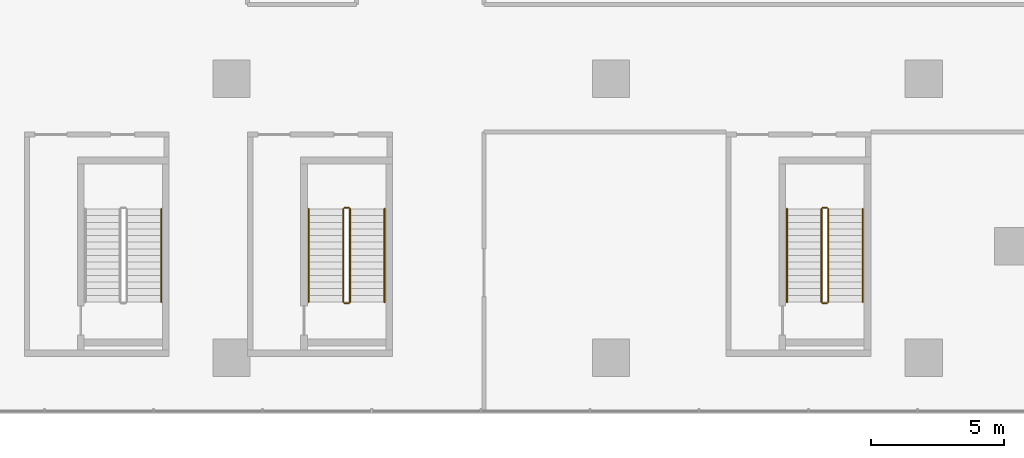
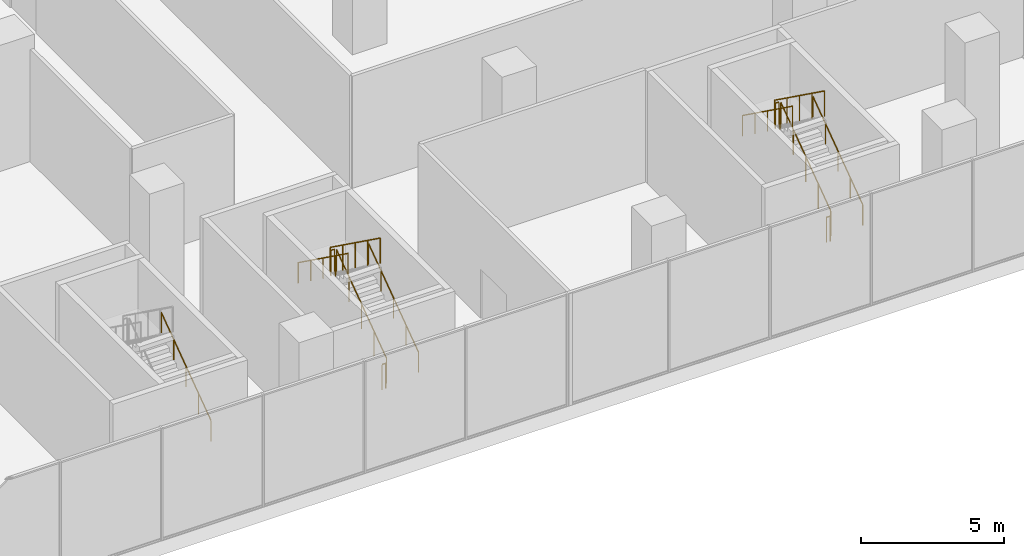
# One storey, part 20 of 23: 13 railings.
"""IFC4 building model written with IfcOpenShell, lengths in metres."""

from ifc_helpers import new_model, si_unit, direction, frame, origin, origin_2d, place, context, subcontext, project, spatial, circle, extrude, source, transform, mapped, material, type_object, element, save


model = new_model("IFC4")

# Units and contexts
model_context = context("Model", 3, precision=1e-05, world=origin(), true_north=direction((0.0, 1.0)))
body_context = subcontext(model_context, "Body", "Model", "MODEL_VIEW")
ifc_project = project(units=[si_unit("LENGTHUNIT", "METRE"), si_unit("AREAUNIT", "SQUARE_METRE"), si_unit("VOLUMEUNIT", "CUBIC_METRE"), si_unit("PLANEANGLEUNIT", "RADIAN"), si_unit("MASSUNIT", "GRAM", prefix="KILO")], contexts=[model_context])

# Site, building, storey
site_placement = place(None, origin())
site = spatial("IfcSite", under=ifc_project, at=site_placement, CompositionType="ELEMENT")
building_placement = place(site_placement, origin())
building = spatial("IfcBuilding", under=site, at=building_placement, Name="Aurelian Terraces", CompositionType="ELEMENT")
storey_placement = place(building_placement, frame((0.0, 0.0, 18.3)))
storey = spatial("IfcBuildingStorey", under=building, at=storey_placement, Name="L03", CompositionType="ELEMENT", Elevation=18.3)

# Railings
ifc_material = material(Name="Stainless steel", Category="steel")
railing_type_1 = type_object("IfcRailingType", Name="Stair guard 1100", PredefinedType="GUARDRAIL", material=ifc_material)
shared_shape_1 = source(origin(), body_context, "Body", "SweptSolid", [
    extrude(circle(Radius=0.024, at=origin_2d()), frame((0.0, 0.0, 1.076), z_axis=(-1.0, 0.0, 0.0), x_axis=(0.0, -1.0, 0.0)), (0.0, 0.0, 1.0), 0.15),
    extrude(circle(Radius=0.021, at=origin_2d()), origin(), (0.0, 0.0, 1.0), 1.052),
    extrude(circle(Radius=0.021, at=origin_2d()), frame((-0.15, 0.0, 0.0)), (0.0, 0.0, 1.0), 1.052),
])
for number, where, name in (
    (1, (42.2, 5.65, 2.7), "L03 S2 stair guard 2"),
    (2, (42.2, 2.05, 0.0), "L03 S2 stair guard 4"),
    (3, (60.2, 5.65, 2.7), "L03 S6 stair guard 2"),
    (4, (60.2, 2.05, 0.0), "L03 S6 stair guard 4"),
):
    element("IfcRailing", number, at=place(storey_placement, frame(where)), inside=storey, type_object=railing_type_1, Name=name, PredefinedType="GUARDRAIL", context=body_context, shape_type="MappedRepresentation", body=[
        mapped(shared_shape_1, transform((0.0, 0.0, 0.0), scale=1.0)),
    ])
shared_shape_2 = source(origin(), body_context, "Body", "SweptSolid", [
    extrude(circle(Radius=0.024, at=origin_2d()), frame((0.0, 0.0, 1.076), z_axis=(0.0, 0.811534341451, 0.584304725845), x_axis=(-1.0, 0.0, 0.0)), (0.0, 0.0, 1.0), 4.3128),
    extrude(circle(Radius=0.021, at=origin_2d()), origin(), (0.0, 0.0, 1.0), 1.052),
    extrude(circle(Radius=0.021, at=origin_2d()), frame((0.0, 0.875, 0.63)), (0.0, 0.0, 1.0), 1.052),
    extrude(circle(Radius=0.021, at=origin_2d()), frame((0.0, 1.75, 1.26)), (0.0, 0.0, 1.0), 1.052),
    extrude(circle(Radius=0.021, at=origin_2d()), frame((0.0, 2.625, 1.89)), (0.0, 0.0, 1.0), 1.052),
    extrude(circle(Radius=0.021, at=origin_2d()), frame((0.0, 3.5, 2.52)), (0.0, 0.0, 1.0), 1.052),
])
for number, where, name in (
    (5, (42.25, 2.1, 0.18), "L03 S2 stair guard 1"),
    (6, (60.25, 2.1, 0.18), "L03 S6 stair guard 1"),
):
    element("IfcRailing", number, at=place(storey_placement, frame(where)), inside=storey, type_object=railing_type_1, Name=name, PredefinedType="GUARDRAIL", context=body_context, shape_type="MappedRepresentation", body=[
        mapped(shared_shape_2, transform((0.0, 0.0, 0.0), scale=1.0)),
    ])
shared_shape_3 = source(origin(), body_context, "Body", "SweptSolid", [
    extrude(circle(Radius=0.024, at=origin_2d()), frame((0.0, 0.0, 1.076), z_axis=(0.0, -0.811534341451, 0.584304725845), x_axis=(1.0, 0.0, 0.0)), (0.0, 0.0, 1.0), 4.3128),
    extrude(circle(Radius=0.021, at=origin_2d()), origin(), (0.0, 0.0, 1.0), 1.052),
    extrude(circle(Radius=0.021, at=origin_2d()), frame((0.0, -0.875, 0.63)), (0.0, 0.0, 1.0), 1.052),
    extrude(circle(Radius=0.021, at=origin_2d()), frame((0.0, -1.75, 1.26)), (0.0, 0.0, 1.0), 1.052),
    extrude(circle(Radius=0.021, at=origin_2d()), frame((0.0, -2.625, 1.89)), (0.0, 0.0, 1.0), 1.052),
    extrude(circle(Radius=0.021, at=origin_2d()), frame((0.0, -3.5, 2.52)), (0.0, 0.0, 1.0), 1.052),
])
for number, where, name in (
    (7, (42.0, 5.6, 2.88), "L03 S2 stair guard 3"),
    (8, (60.0, 5.6, 2.88), "L03 S6 stair guard 3"),
):
    element("IfcRailing", number, at=place(storey_placement, frame(where)), inside=storey, type_object=railing_type_1, Name=name, PredefinedType="GUARDRAIL", context=body_context, shape_type="MappedRepresentation", body=[
        mapped(shared_shape_3, transform((0.0, 0.0, 0.0), scale=1.0)),
    ])
railing_type_2 = type_object("IfcRailingType", Name="Stair handrail", PredefinedType="HANDRAIL", material=ifc_material)
shared_shape_4 = source(origin(), body_context, "Body", "SweptSolid", [
    extrude(circle(Radius=0.024, at=origin_2d()), frame((0.0, 0.0, 0.876), z_axis=(0.0, 0.811534341451, 0.584304725845), x_axis=(-1.0, 0.0, 0.0)), (0.0, 0.0, 1.0), 4.3128),
    extrude(circle(Radius=0.021, at=origin_2d()), origin(), (0.0, 0.0, 1.0), 0.852),
    extrude(circle(Radius=0.021, at=origin_2d()), frame((0.0, 0.875, 0.63)), (0.0, 0.0, 1.0), 0.852),
    extrude(circle(Radius=0.021, at=origin_2d()), frame((0.0, 1.75, 1.26)), (0.0, 0.0, 1.0), 0.852),
    extrude(circle(Radius=0.021, at=origin_2d()), frame((0.0, 2.625, 1.89)), (0.0, 0.0, 1.0), 0.852),
    extrude(circle(Radius=0.021, at=origin_2d()), frame((0.0, 3.5, 2.52)), (0.0, 0.0, 1.0), 0.852),
])
for number, where, name in (
    (9, (43.55, 2.1, 0.18), "L03 S2 stair handrail 1"),
    (10, (61.55, 2.1, 0.18), "L03 S6 stair handrail 1"),
    (11, (35.15, 2.1, 0.18), "L03 S7 stair handrail 1"),
):
    element("IfcRailing", number, at=place(storey_placement, frame(where)), inside=storey, type_object=railing_type_2, Name=name, PredefinedType="HANDRAIL", context=body_context, shape_type="MappedRepresentation", body=[
        mapped(shared_shape_4, transform((0.0, 0.0, 0.0), scale=1.0)),
    ])
shared_shape_5 = source(origin(), body_context, "Body", "SweptSolid", [
    extrude(circle(Radius=0.024, at=origin_2d()), frame((0.0, 0.0, 0.876), z_axis=(0.0, -0.811534341451, 0.584304725845), x_axis=(1.0, 0.0, 0.0)), (0.0, 0.0, 1.0), 4.3128),
    extrude(circle(Radius=0.021, at=origin_2d()), origin(), (0.0, 0.0, 1.0), 0.852),
    extrude(circle(Radius=0.021, at=origin_2d()), frame((0.0, -0.875, 0.63)), (0.0, 0.0, 1.0), 0.852),
    extrude(circle(Radius=0.021, at=origin_2d()), frame((0.0, -1.75, 1.26)), (0.0, 0.0, 1.0), 0.852),
    extrude(circle(Radius=0.021, at=origin_2d()), frame((0.0, -2.625, 1.89)), (0.0, 0.0, 1.0), 0.852),
    extrude(circle(Radius=0.021, at=origin_2d()), frame((0.0, -3.5, 2.52)), (0.0, 0.0, 1.0), 0.852),
])
for number, where, name in (
    (12, (40.7, 5.6, 2.88), "L03 S2 stair handrail 2"),
    (13, (58.7, 5.6, 2.88), "L03 S6 stair handrail 2"),
):
    element("IfcRailing", number, at=place(storey_placement, frame(where)), inside=storey, type_object=railing_type_2, Name=name, PredefinedType="HANDRAIL", context=body_context, shape_type="MappedRepresentation", body=[
        mapped(shared_shape_5, transform((0.0, 0.0, 0.0), scale=1.0)),
    ])

save(model, "model.ifc")
